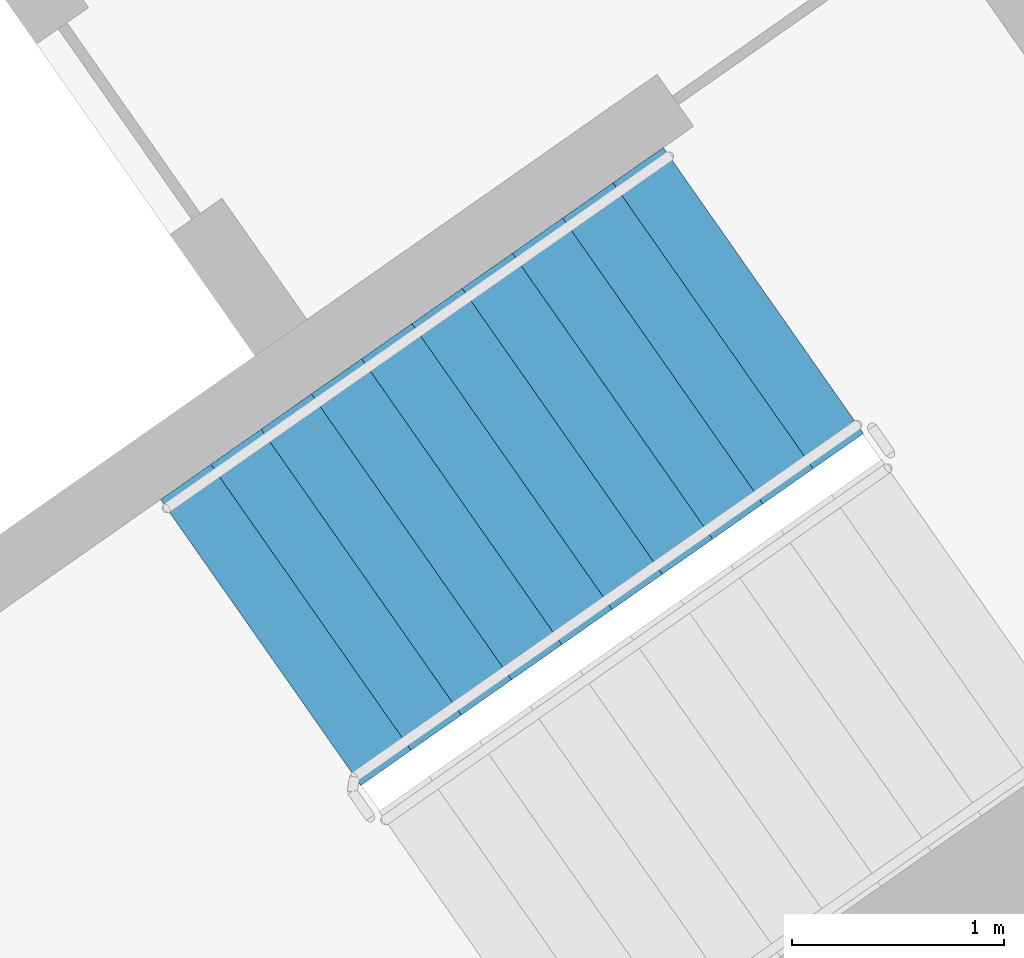
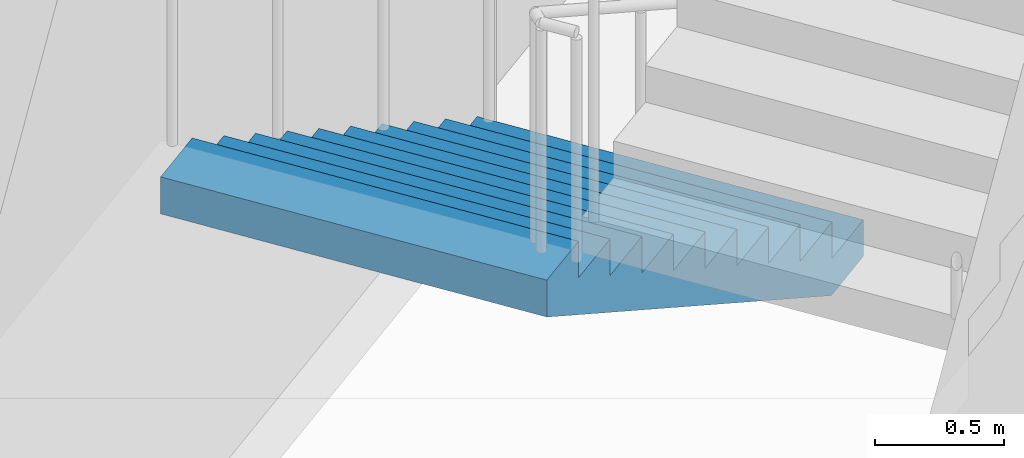
# One storey, part 15 of 27: 1 stair flight, 1 element without a shape of its own.
"""IFC4 building model written with IfcOpenShell, lengths in metres."""

from ifc_helpers import new_model, si_unit, direction, frame, origin, place, context, subcontext, project, spatial, faceted_brep, material, type_object, element, aggregate, save


model = new_model("IFC4")

# Units and contexts
model_context = context("Model", 3, precision=1e-05, world=origin(), true_north=direction((0.0, 1.0)))
body_context = subcontext(model_context, "Body", "Model", "MODEL_VIEW")
ifc_project = project(units=[si_unit("LENGTHUNIT", "METRE"), si_unit("AREAUNIT", "SQUARE_METRE"), si_unit("VOLUMEUNIT", "CUBIC_METRE"), si_unit("PLANEANGLEUNIT", "RADIAN"), si_unit("MASSUNIT", "GRAM", prefix="KILO")], contexts=[model_context])

# Site, building, storey
site_placement = place(None, origin())
site = spatial("IfcSite", under=ifc_project, at=site_placement, CompositionType="ELEMENT")
building_placement = place(site_placement, origin())
building = spatial("IfcBuilding", under=site, at=building_placement, Name="Qamariyya Broadcast Tower", CompositionType="ELEMENT")
storey_placement = place(building_placement, frame((0.0, 0.0, 175.89990234375)))
storey = spatial("IfcBuildingStorey", under=building, at=storey_placement, Name="L41", CompositionType="ELEMENT", Elevation=175.89990234375)

# Stair, stair flight
ifc_material = material(Name="Concrete C50/60", Category="concrete")
stair_type = type_object("IfcStairType", Name="Exit stair 22 risers of 173 mm", PredefinedType="HALF_TURN_STAIR", material=ifc_material)
stair_placement = place(storey_placement, origin())
stair = element("IfcStair", 1, at=stair_placement, inside=storey, type_object=stair_type, Name="L41 Stair E1", PredefinedType="HALF_TURN_STAIR")
stair_flight_type = type_object("IfcStairFlightType", Name="Exit stair flight 11 risers of 173 mm", PredefinedType="STRAIGHT", material=ifc_material)
stair_flight_placement = place(storey_placement, frame((46.036376953125, -55.508056640625, 0.0), z_axis=(0.0, 0.0, 1.0), x_axis=(-0.819152044289, -0.573576436351, 0.0)))
stair_flight = element("IfcStairFlight", 2, at=stair_flight_placement, type_object=stair_flight_type, Name="ST-E1 flight 1", NumberOfRisers=11, NumberOfTreads=10, PredefinedType="STRAIGHT", RiserHeight=0.172727273, TreadLength=0.29, context=body_context, shape_type="Brep", body=[
    faceted_brep([(0.0, 0.824951171875, 0.0), (0.0, 0.824951171875, 0.172607421875), (0.2900390625, 0.824951171875, 0.172607421875), (0.2900390625, 0.824951171875, 0.345458984375), (0.580078125, 0.824951171875, 0.345458984375), (0.580078125, 0.824951171875, 0.51806640625), (0.8701171875, 0.824951171875, 0.51806640625), (0.8701171875, 0.824951171875, 0.69091796875), (1.159912109375, 0.824951171875, 0.69091796875), (1.159912109375, 0.824951171875, 0.863525390625), (1.449951171875, 0.824951171875, 0.863525390625), (1.449951171875, 0.824951171875, 1.036376953125), (1.739990234375, 0.824951171875, 1.036376953125), (1.739990234375, 0.824951171875, 1.208984375), (2.030029296875, 0.824951171875, 1.208984375), (2.030029296875, 0.824951171875, 1.3818359375), (2.320068359375, 0.824951171875, 1.3818359375), (2.320068359375, 0.824951171875, 1.554443359375), (2.610107421875, 0.824951171875, 1.554443359375), (2.610107421875, 0.824951171875, 1.727294921875), (2.89990234375, 0.824951171875, 1.727294921875), (2.89990234375, 0.824951171875, 1.552734375), (0.29296875, 0.824951171875, 0.0), (0.29296875, -0.824951171875, 0.0), (2.89990234375, -0.824951171875, 1.552734375), (2.89990234375, -0.824951171875, 1.727294921875), (2.610107421875, -0.824951171875, 1.727294921875), (2.610107421875, -0.824951171875, 1.554443359375), (2.320068359375, -0.824951171875, 1.554443359375), (2.320068359375, -0.824951171875, 1.3818359375), (2.030029296875, -0.824951171875, 1.3818359375), (2.030029296875, -0.824951171875, 1.208984375), (1.739990234375, -0.824951171875, 1.208984375), (1.739990234375, -0.824951171875, 1.036376953125), (1.449951171875, -0.824951171875, 1.036376953125), (1.449951171875, -0.824951171875, 0.863525390625), (1.159912109375, -0.824951171875, 0.863525390625), (1.159912109375, -0.824951171875, 0.69091796875), (0.8701171875, -0.824951171875, 0.69091796875), (0.8701171875, -0.824951171875, 0.51806640625), (0.580078125, -0.824951171875, 0.51806640625), (0.580078125, -0.824951171875, 0.345458984375), (0.2900390625, -0.824951171875, 0.345458984375), (0.2900390625, -0.824951171875, 0.172607421875), (0.0, -0.824951171875, 0.172607421875), (0.0, -0.824951171875, 0.0), (0.0, 0.10009765625, 0.0), (0.0, 0.086669921875, 0.0), (0.0, 0.0732421875, 0.0), (0.0, 0.06005859375, 0.0), (0.0, 0.046630859375, 0.0), (0.0, 0.033447265625, 0.0), (0.0, 0.02001953125, 0.0), (0.0, 0.006591796875, 0.0), (0.0, -0.006591796875, 0.0), (0.0, -0.02001953125, 0.0), (0.0, -0.033447265625, 0.0), (0.0, -0.046630859375, 0.0), (0.0, -0.06005859375, 0.0), (0.0, -0.0732421875, 0.0), (0.0, -0.086669921875, 0.0), (0.0, -0.10009765625, 0.0), (0.0, -0.10009765625, 0.172607421875), (0.0, -0.086669921875, 0.172607421875), (0.0, -0.0732421875, 0.172607421875), (0.0, -0.06005859375, 0.172607421875), (0.0, -0.046630859375, 0.172607421875), (0.0, -0.033447265625, 0.172607421875), (0.0, -0.02001953125, 0.172607421875), (0.0, -0.006591796875, 0.172607421875), (0.0, 0.006591796875, 0.172607421875), (0.0, 0.02001953125, 0.172607421875), (0.0, 0.033447265625, 0.172607421875), (0.0, 0.046630859375, 0.172607421875), (0.0, 0.06005859375, 0.172607421875), (0.0, 0.0732421875, 0.172607421875), (0.0, 0.086669921875, 0.172607421875), (0.0, 0.10009765625, 0.172607421875), (0.2900390625, -0.10009765625, 0.172607421875), (0.2900390625, -0.086669921875, 0.172607421875), (0.2900390625, -0.0732421875, 0.172607421875), (0.2900390625, -0.06005859375, 0.172607421875), (0.2900390625, -0.046630859375, 0.172607421875), (0.2900390625, -0.033447265625, 0.172607421875), (0.2900390625, -0.02001953125, 0.172607421875), (0.2900390625, -0.006591796875, 0.172607421875), (0.2900390625, 0.006591796875, 0.172607421875), (0.2900390625, 0.02001953125, 0.172607421875), (0.2900390625, 0.033447265625, 0.172607421875), (0.2900390625, 0.046630859375, 0.172607421875), (0.2900390625, 0.06005859375, 0.172607421875), (0.2900390625, 0.0732421875, 0.172607421875), (0.2900390625, 0.086669921875, 0.172607421875), (0.2900390625, 0.10009765625, 0.172607421875), (0.2900390625, -0.10009765625, 0.345458984375), (0.2900390625, -0.086669921875, 0.345458984375), (0.2900390625, -0.0732421875, 0.345458984375), (0.2900390625, -0.06005859375, 0.345458984375), (0.2900390625, -0.046630859375, 0.345458984375), (0.2900390625, -0.033447265625, 0.345458984375), (0.2900390625, -0.02001953125, 0.345458984375), (0.2900390625, -0.006591796875, 0.345458984375), (0.2900390625, 0.006591796875, 0.345458984375), (0.2900390625, 0.02001953125, 0.345458984375), (0.2900390625, 0.033447265625, 0.345458984375), (0.2900390625, 0.046630859375, 0.345458984375), (0.2900390625, 0.06005859375, 0.345458984375), (0.2900390625, 0.0732421875, 0.345458984375), (0.2900390625, 0.086669921875, 0.345458984375), (0.2900390625, 0.10009765625, 0.345458984375), (0.580078125, -0.10009765625, 0.345458984375), (0.580078125, -0.086669921875, 0.345458984375), (0.580078125, -0.0732421875, 0.345458984375), (0.580078125, -0.06005859375, 0.345458984375), (0.580078125, -0.046630859375, 0.345458984375), (0.580078125, -0.033447265625, 0.345458984375), (0.580078125, -0.02001953125, 0.345458984375), (0.580078125, -0.006591796875, 0.345458984375), (0.580078125, 0.006591796875, 0.345458984375), (0.580078125, 0.02001953125, 0.345458984375), (0.580078125, 0.033447265625, 0.345458984375), (0.580078125, 0.046630859375, 0.345458984375), (0.580078125, 0.06005859375, 0.345458984375), (0.580078125, 0.0732421875, 0.345458984375), (0.580078125, 0.086669921875, 0.345458984375), (0.580078125, 0.10009765625, 0.345458984375), (0.580078125, -0.10009765625, 0.51806640625), (0.580078125, -0.086669921875, 0.51806640625), (0.580078125, -0.0732421875, 0.51806640625), (0.580078125, -0.06005859375, 0.51806640625), (0.580078125, -0.046630859375, 0.51806640625), (0.580078125, -0.033447265625, 0.51806640625), (0.580078125, -0.02001953125, 0.51806640625), (0.580078125, -0.006591796875, 0.51806640625), (0.580078125, 0.006591796875, 0.51806640625), (0.580078125, 0.02001953125, 0.51806640625), (0.580078125, 0.033447265625, 0.51806640625), (0.580078125, 0.046630859375, 0.51806640625), (0.580078125, 0.06005859375, 0.51806640625), (0.580078125, 0.0732421875, 0.51806640625), (0.580078125, 0.086669921875, 0.51806640625), (0.580078125, 0.10009765625, 0.51806640625), (0.8701171875, -0.10009765625, 0.51806640625), (0.8701171875, -0.086669921875, 0.51806640625), (0.8701171875, -0.0732421875, 0.51806640625), (0.8701171875, -0.06005859375, 0.51806640625), (0.8701171875, -0.046630859375, 0.51806640625), (0.8701171875, -0.033447265625, 0.51806640625), (0.8701171875, -0.02001953125, 0.51806640625), (0.8701171875, -0.006591796875, 0.51806640625), (0.8701171875, 0.006591796875, 0.51806640625), (0.8701171875, 0.02001953125, 0.51806640625), (0.8701171875, 0.033447265625, 0.51806640625), (0.8701171875, 0.046630859375, 0.51806640625), (0.8701171875, 0.06005859375, 0.51806640625), (0.8701171875, 0.0732421875, 0.51806640625), (0.8701171875, 0.086669921875, 0.51806640625), (0.8701171875, 0.10009765625, 0.51806640625), (0.8701171875, -0.10009765625, 0.69091796875), (0.8701171875, -0.086669921875, 0.69091796875), (0.8701171875, -0.0732421875, 0.69091796875), (0.8701171875, -0.06005859375, 0.69091796875), (0.8701171875, -0.046630859375, 0.69091796875), (0.8701171875, -0.033447265625, 0.69091796875), (0.8701171875, -0.02001953125, 0.69091796875), (0.8701171875, -0.006591796875, 0.69091796875), (0.8701171875, 0.006591796875, 0.69091796875), (0.8701171875, 0.02001953125, 0.69091796875), (0.8701171875, 0.033447265625, 0.69091796875), (0.8701171875, 0.046630859375, 0.69091796875), (0.8701171875, 0.06005859375, 0.69091796875), (0.8701171875, 0.0732421875, 0.69091796875), (0.8701171875, 0.086669921875, 0.69091796875), (0.8701171875, 0.10009765625, 0.69091796875), (1.159912109375, -0.10009765625, 0.69091796875), (1.159912109375, -0.086669921875, 0.69091796875), (1.159912109375, -0.0732421875, 0.69091796875), (1.159912109375, -0.06005859375, 0.69091796875), (1.159912109375, -0.046630859375, 0.69091796875), (1.159912109375, -0.033447265625, 0.69091796875), (1.159912109375, -0.02001953125, 0.69091796875), (1.159912109375, -0.006591796875, 0.69091796875), (1.159912109375, 0.006591796875, 0.69091796875), (1.159912109375, 0.02001953125, 0.69091796875), (1.159912109375, 0.033447265625, 0.69091796875), (1.159912109375, 0.046630859375, 0.69091796875), (1.159912109375, 0.06005859375, 0.69091796875), (1.159912109375, 0.0732421875, 0.69091796875), (1.159912109375, 0.086669921875, 0.69091796875), (1.159912109375, 0.10009765625, 0.69091796875), (1.159912109375, -0.10009765625, 0.863525390625), (1.159912109375, -0.086669921875, 0.863525390625), (1.159912109375, -0.0732421875, 0.863525390625), (1.159912109375, -0.06005859375, 0.863525390625), (1.159912109375, -0.046630859375, 0.863525390625), (1.159912109375, -0.033447265625, 0.863525390625), (1.159912109375, -0.02001953125, 0.863525390625), (1.159912109375, -0.006591796875, 0.863525390625), (1.159912109375, 0.006591796875, 0.863525390625), (1.159912109375, 0.02001953125, 0.863525390625), (1.159912109375, 0.033447265625, 0.863525390625), (1.159912109375, 0.046630859375, 0.863525390625), (1.159912109375, 0.06005859375, 0.863525390625), (1.159912109375, 0.0732421875, 0.863525390625), (1.159912109375, 0.086669921875, 0.863525390625), (1.159912109375, 0.10009765625, 0.863525390625), (1.449951171875, -0.10009765625, 0.863525390625), (1.449951171875, -0.086669921875, 0.863525390625), (1.449951171875, -0.0732421875, 0.863525390625), (1.449951171875, -0.06005859375, 0.863525390625), (1.449951171875, -0.046630859375, 0.863525390625), (1.449951171875, -0.033447265625, 0.863525390625), (1.449951171875, -0.02001953125, 0.863525390625), (1.449951171875, -0.006591796875, 0.863525390625), (1.449951171875, 0.006591796875, 0.863525390625), (1.449951171875, 0.02001953125, 0.863525390625), (1.449951171875, 0.033447265625, 0.863525390625), (1.449951171875, 0.046630859375, 0.863525390625), (1.449951171875, 0.06005859375, 0.863525390625), (1.449951171875, 0.0732421875, 0.863525390625), (1.449951171875, 0.086669921875, 0.863525390625), (1.449951171875, 0.10009765625, 0.863525390625), (1.449951171875, -0.10009765625, 1.036376953125), (1.449951171875, -0.086669921875, 1.036376953125), (1.449951171875, -0.0732421875, 1.036376953125), (1.449951171875, -0.06005859375, 1.036376953125), (1.449951171875, -0.046630859375, 1.036376953125), (1.449951171875, -0.033447265625, 1.036376953125), (1.449951171875, -0.02001953125, 1.036376953125), (1.449951171875, -0.006591796875, 1.036376953125), (1.449951171875, 0.006591796875, 1.036376953125), (1.449951171875, 0.02001953125, 1.036376953125), (1.449951171875, 0.033447265625, 1.036376953125), (1.449951171875, 0.046630859375, 1.036376953125), (1.449951171875, 0.06005859375, 1.036376953125), (1.449951171875, 0.0732421875, 1.036376953125), (1.449951171875, 0.086669921875, 1.036376953125), (1.449951171875, 0.10009765625, 1.036376953125), (1.739990234375, -0.10009765625, 1.036376953125), (1.739990234375, -0.086669921875, 1.036376953125), (1.739990234375, -0.0732421875, 1.036376953125), (1.739990234375, -0.06005859375, 1.036376953125), (1.739990234375, -0.046630859375, 1.036376953125), (1.739990234375, -0.033447265625, 1.036376953125), (1.739990234375, -0.02001953125, 1.036376953125), (1.739990234375, -0.006591796875, 1.036376953125), (1.739990234375, 0.006591796875, 1.036376953125), (1.739990234375, 0.02001953125, 1.036376953125), (1.739990234375, 0.033447265625, 1.036376953125), (1.739990234375, 0.046630859375, 1.036376953125), (1.739990234375, 0.06005859375, 1.036376953125), (1.739990234375, 0.0732421875, 1.036376953125), (1.739990234375, 0.086669921875, 1.036376953125), (1.739990234375, 0.10009765625, 1.036376953125), (1.739990234375, -0.10009765625, 1.208984375), (1.739990234375, -0.086669921875, 1.208984375), (1.739990234375, -0.0732421875, 1.208984375), (1.739990234375, -0.06005859375, 1.208984375), (1.739990234375, -0.046630859375, 1.208984375), (1.739990234375, -0.033447265625, 1.208984375), (1.739990234375, -0.02001953125, 1.208984375), (1.739990234375, -0.006591796875, 1.208984375), (1.739990234375, 0.006591796875, 1.208984375), (1.739990234375, 0.02001953125, 1.208984375), (1.739990234375, 0.033447265625, 1.208984375), (1.739990234375, 0.046630859375, 1.208984375), (1.739990234375, 0.06005859375, 1.208984375), (1.739990234375, 0.0732421875, 1.208984375), (1.739990234375, 0.086669921875, 1.208984375), (1.739990234375, 0.10009765625, 1.208984375), (2.030029296875, -0.10009765625, 1.208984375), (2.030029296875, -0.086669921875, 1.208984375), (2.030029296875, -0.0732421875, 1.208984375), (2.030029296875, -0.06005859375, 1.208984375), (2.030029296875, -0.046630859375, 1.208984375), (2.030029296875, -0.033447265625, 1.208984375), (2.030029296875, -0.02001953125, 1.208984375), (2.030029296875, -0.006591796875, 1.208984375), (2.030029296875, 0.006591796875, 1.208984375), (2.030029296875, 0.02001953125, 1.208984375), (2.030029296875, 0.033447265625, 1.208984375), (2.030029296875, 0.046630859375, 1.208984375), (2.030029296875, 0.06005859375, 1.208984375), (2.030029296875, 0.0732421875, 1.208984375), (2.030029296875, 0.086669921875, 1.208984375), (2.030029296875, 0.10009765625, 1.208984375), (2.030029296875, -0.10009765625, 1.3818359375), (2.030029296875, -0.086669921875, 1.3818359375), (2.030029296875, -0.0732421875, 1.3818359375), (2.030029296875, -0.06005859375, 1.3818359375), (2.030029296875, -0.046630859375, 1.3818359375), (2.030029296875, -0.033447265625, 1.3818359375), (2.030029296875, -0.02001953125, 1.3818359375), (2.030029296875, -0.006591796875, 1.3818359375), (2.030029296875, 0.006591796875, 1.3818359375), (2.030029296875, 0.02001953125, 1.3818359375), (2.030029296875, 0.033447265625, 1.3818359375), (2.030029296875, 0.046630859375, 1.3818359375), (2.030029296875, 0.06005859375, 1.3818359375), (2.030029296875, 0.0732421875, 1.3818359375), (2.030029296875, 0.086669921875, 1.3818359375), (2.030029296875, 0.10009765625, 1.3818359375), (2.320068359375, -0.10009765625, 1.3818359375), (2.320068359375, -0.086669921875, 1.3818359375), (2.320068359375, -0.0732421875, 1.3818359375), (2.320068359375, -0.06005859375, 1.3818359375), (2.320068359375, -0.046630859375, 1.3818359375), (2.320068359375, -0.033447265625, 1.3818359375), (2.320068359375, -0.02001953125, 1.3818359375), (2.320068359375, -0.006591796875, 1.3818359375), (2.320068359375, 0.006591796875, 1.3818359375), (2.320068359375, 0.02001953125, 1.3818359375), (2.320068359375, 0.033447265625, 1.3818359375), (2.320068359375, 0.046630859375, 1.3818359375), (2.320068359375, 0.06005859375, 1.3818359375), (2.320068359375, 0.0732421875, 1.3818359375), (2.320068359375, 0.086669921875, 1.3818359375), (2.320068359375, 0.10009765625, 1.3818359375), (2.320068359375, -0.10009765625, 1.554443359375), (2.320068359375, -0.086669921875, 1.554443359375), (2.320068359375, -0.0732421875, 1.554443359375), (2.320068359375, -0.06005859375, 1.554443359375), (2.320068359375, -0.046630859375, 1.554443359375), (2.320068359375, -0.033447265625, 1.554443359375), (2.320068359375, -0.02001953125, 1.554443359375), (2.320068359375, -0.006591796875, 1.554443359375), (2.320068359375, 0.006591796875, 1.554443359375), (2.320068359375, 0.02001953125, 1.554443359375), (2.320068359375, 0.033447265625, 1.554443359375), (2.320068359375, 0.046630859375, 1.554443359375), (2.320068359375, 0.06005859375, 1.554443359375), (2.320068359375, 0.0732421875, 1.554443359375), (2.320068359375, 0.086669921875, 1.554443359375), (2.320068359375, 0.10009765625, 1.554443359375), (2.610107421875, -0.10009765625, 1.554443359375), (2.610107421875, -0.086669921875, 1.554443359375), (2.610107421875, -0.0732421875, 1.554443359375), (2.610107421875, -0.06005859375, 1.554443359375), (2.610107421875, -0.046630859375, 1.554443359375), (2.610107421875, -0.033447265625, 1.554443359375), (2.610107421875, -0.02001953125, 1.554443359375), (2.610107421875, -0.006591796875, 1.554443359375), (2.610107421875, 0.006591796875, 1.554443359375), (2.610107421875, 0.02001953125, 1.554443359375), (2.610107421875, 0.033447265625, 1.554443359375), (2.610107421875, 0.046630859375, 1.554443359375), (2.610107421875, 0.06005859375, 1.554443359375), (2.610107421875, 0.0732421875, 1.554443359375), (2.610107421875, 0.086669921875, 1.554443359375), (2.610107421875, 0.10009765625, 1.554443359375), (2.610107421875, -0.10009765625, 1.727294921875), (2.610107421875, -0.086669921875, 1.727294921875), (2.610107421875, -0.0732421875, 1.727294921875), (2.610107421875, -0.06005859375, 1.727294921875), (2.610107421875, -0.046630859375, 1.727294921875), (2.610107421875, -0.033447265625, 1.727294921875), (2.610107421875, -0.02001953125, 1.727294921875), (2.610107421875, -0.006591796875, 1.727294921875), (2.610107421875, 0.006591796875, 1.727294921875), (2.610107421875, 0.02001953125, 1.727294921875), (2.610107421875, 0.033447265625, 1.727294921875), (2.610107421875, 0.046630859375, 1.727294921875), (2.610107421875, 0.06005859375, 1.727294921875), (2.610107421875, 0.0732421875, 1.727294921875), (2.610107421875, 0.086669921875, 1.727294921875), (2.610107421875, 0.10009765625, 1.727294921875), (2.89990234375, -0.10009765625, 1.727294921875), (2.89990234375, -0.086669921875, 1.727294921875), (2.89990234375, -0.0732421875, 1.727294921875), (2.89990234375, -0.06005859375, 1.727294921875), (2.89990234375, -0.046630859375, 1.727294921875), (2.89990234375, -0.033447265625, 1.727294921875), (2.89990234375, -0.02001953125, 1.727294921875), (2.89990234375, -0.006591796875, 1.727294921875), (2.89990234375, 0.006591796875, 1.727294921875), (2.89990234375, 0.02001953125, 1.727294921875), (2.89990234375, 0.033447265625, 1.727294921875), (2.89990234375, 0.046630859375, 1.727294921875), (2.89990234375, 0.06005859375, 1.727294921875), (2.89990234375, 0.0732421875, 1.727294921875), (2.89990234375, 0.086669921875, 1.727294921875), (2.89990234375, 0.10009765625, 1.727294921875), (2.89990234375, -0.10009765625, 1.552734375), (2.89990234375, -0.086669921875, 1.552734375), (2.89990234375, -0.0732421875, 1.552734375), (2.89990234375, -0.06005859375, 1.552734375), (2.89990234375, -0.046630859375, 1.552734375), (2.89990234375, -0.033447265625, 1.552734375), (2.89990234375, -0.02001953125, 1.552734375), (2.89990234375, -0.006591796875, 1.552734375), (2.89990234375, 0.006591796875, 1.552734375), (2.89990234375, 0.02001953125, 1.552734375), (2.89990234375, 0.033447265625, 1.552734375), (2.89990234375, 0.046630859375, 1.552734375), (2.89990234375, 0.06005859375, 1.552734375), (2.89990234375, 0.0732421875, 1.552734375), (2.89990234375, 0.086669921875, 1.552734375), (2.89990234375, 0.10009765625, 1.552734375), (0.29296875, -0.10009765625, 0.0), (0.29296875, -0.086669921875, 0.0), (0.29296875, -0.0732421875, 0.0), (0.29296875, -0.06005859375, 0.0), (0.29296875, -0.046630859375, 0.0), (0.29296875, -0.033447265625, 0.0), (0.29296875, -0.02001953125, 0.0), (0.29296875, -0.006591796875, 0.0), (0.29296875, 0.006591796875, 0.0), (0.29296875, 0.02001953125, 0.0), (0.29296875, 0.033447265625, 0.0), (0.29296875, 0.046630859375, 0.0), (0.29296875, 0.06005859375, 0.0), (0.29296875, 0.0732421875, 0.0), (0.29296875, 0.086669921875, 0.0), (0.29296875, 0.10009765625, 0.0)], [[[0, 1, 2, 3, 4, 5, 6, 7, 8, 9, 10, 11, 12, 13, 14, 15, 16, 17, 18, 19, 20, 21, 22]], [[23, 24, 25, 26, 27, 28, 29, 30, 31, 32, 33, 34, 35, 36, 37, 38, 39, 40, 41, 42, 43, 44, 45]], [[0, 46, 47, 48, 49, 50, 51, 52, 53, 54, 55, 56, 57, 58, 59, 60, 61, 45, 44, 62, 63, 64, 65, 66, 67, 68, 69, 70, 71, 72, 73, 74, 75, 76, 77, 1]], [[1, 77, 76, 75, 74, 73, 72, 71, 70, 69, 68, 67, 66, 65, 64, 63, 62, 44, 43, 78, 79, 80, 81, 82, 83, 84, 85, 86, 87, 88, 89, 90, 91, 92, 93, 2]], [[2, 93, 92, 91, 90, 89, 88, 87, 86, 85, 84, 83, 82, 81, 80, 79, 78, 43, 42, 94, 95, 96, 97, 98, 99, 100, 101, 102, 103, 104, 105, 106, 107, 108, 109, 3]], [[3, 109, 108, 107, 106, 105, 104, 103, 102, 101, 100, 99, 98, 97, 96, 95, 94, 42, 41, 110, 111, 112, 113, 114, 115, 116, 117, 118, 119, 120, 121, 122, 123, 124, 125, 4]], [[4, 125, 124, 123, 122, 121, 120, 119, 118, 117, 116, 115, 114, 113, 112, 111, 110, 41, 40, 126, 127, 128, 129, 130, 131, 132, 133, 134, 135, 136, 137, 138, 139, 140, 141, 5]], [[5, 141, 140, 139, 138, 137, 136, 135, 134, 133, 132, 131, 130, 129, 128, 127, 126, 40, 39, 142, 143, 144, 145, 146, 147, 148, 149, 150, 151, 152, 153, 154, 155, 156, 157, 6]], [[6, 157, 156, 155, 154, 153, 152, 151, 150, 149, 148, 147, 146, 145, 144, 143, 142, 39, 38, 158, 159, 160, 161, 162, 163, 164, 165, 166, 167, 168, 169, 170, 171, 172, 173, 7]], [[7, 173, 172, 171, 170, 169, 168, 167, 166, 165, 164, 163, 162, 161, 160, 159, 158, 38, 37, 174, 175, 176, 177, 178, 179, 180, 181, 182, 183, 184, 185, 186, 187, 188, 189, 8]], [[8, 189, 188, 187, 186, 185, 184, 183, 182, 181, 180, 179, 178, 177, 176, 175, 174, 37, 36, 190, 191, 192, 193, 194, 195, 196, 197, 198, 199, 200, 201, 202, 203, 204, 205, 9]], [[9, 205, 204, 203, 202, 201, 200, 199, 198, 197, 196, 195, 194, 193, 192, 191, 190, 36, 35, 206, 207, 208, 209, 210, 211, 212, 213, 214, 215, 216, 217, 218, 219, 220, 221, 10]], [[10, 221, 220, 219, 218, 217, 216, 215, 214, 213, 212, 211, 210, 209, 208, 207, 206, 35, 34, 222, 223, 224, 225, 226, 227, 228, 229, 230, 231, 232, 233, 234, 235, 236, 237, 11]], [[11, 237, 236, 235, 234, 233, 232, 231, 230, 229, 228, 227, 226, 225, 224, 223, 222, 34, 33, 238, 239, 240, 241, 242, 243, 244, 245, 246, 247, 248, 249, 250, 251, 252, 253, 12]], [[12, 253, 252, 251, 250, 249, 248, 247, 246, 245, 244, 243, 242, 241, 240, 239, 238, 33, 32, 254, 255, 256, 257, 258, 259, 260, 261, 262, 263, 264, 265, 266, 267, 268, 269, 13]], [[13, 269, 268, 267, 266, 265, 264, 263, 262, 261, 260, 259, 258, 257, 256, 255, 254, 32, 31, 270, 271, 272, 273, 274, 275, 276, 277, 278, 279, 280, 281, 282, 283, 284, 285, 14]], [[14, 285, 284, 283, 282, 281, 280, 279, 278, 277, 276, 275, 274, 273, 272, 271, 270, 31, 30, 286, 287, 288, 289, 290, 291, 292, 293, 294, 295, 296, 297, 298, 299, 300, 301, 15]], [[15, 301, 300, 299, 298, 297, 296, 295, 294, 293, 292, 291, 290, 289, 288, 287, 286, 30, 29, 302, 303, 304, 305, 306, 307, 308, 309, 310, 311, 312, 313, 314, 315, 316, 317, 16]], [[16, 317, 316, 315, 314, 313, 312, 311, 310, 309, 308, 307, 306, 305, 304, 303, 302, 29, 28, 318, 319, 320, 321, 322, 323, 324, 325, 326, 327, 328, 329, 330, 331, 332, 333, 17]], [[17, 333, 332, 331, 330, 329, 328, 327, 326, 325, 324, 323, 322, 321, 320, 319, 318, 28, 27, 334, 335, 336, 337, 338, 339, 340, 341, 342, 343, 344, 345, 346, 347, 348, 349, 18]], [[18, 349, 348, 347, 346, 345, 344, 343, 342, 341, 340, 339, 338, 337, 336, 335, 334, 27, 26, 350, 351, 352, 353, 354, 355, 356, 357, 358, 359, 360, 361, 362, 363, 364, 365, 19]], [[19, 365, 364, 363, 362, 361, 360, 359, 358, 357, 356, 355, 354, 353, 352, 351, 350, 26, 25, 366, 367, 368, 369, 370, 371, 372, 373, 374, 375, 376, 377, 378, 379, 380, 381, 20]], [[20, 381, 380, 379, 378, 377, 376, 375, 374, 373, 372, 371, 370, 369, 368, 367, 366, 25, 24, 382, 383, 384, 385, 386, 387, 388, 389, 390, 391, 392, 393, 394, 395, 396, 397, 21]], [[21, 397, 396, 395, 394, 393, 392, 391, 390, 389, 388, 387, 386, 385, 384, 383, 382, 24, 23, 398, 399, 400, 401, 402, 403, 404, 405, 406, 407, 408, 409, 410, 411, 412, 413, 22]], [[22, 413, 412, 411, 410, 409, 408, 407, 406, 405, 404, 403, 402, 401, 400, 399, 398, 23, 45, 61, 60, 59, 58, 57, 56, 55, 54, 53, 52, 51, 50, 49, 48, 47, 46, 0]]]),
])
aggregate(stair, [stair_flight])

save(model, "model.ifc")
